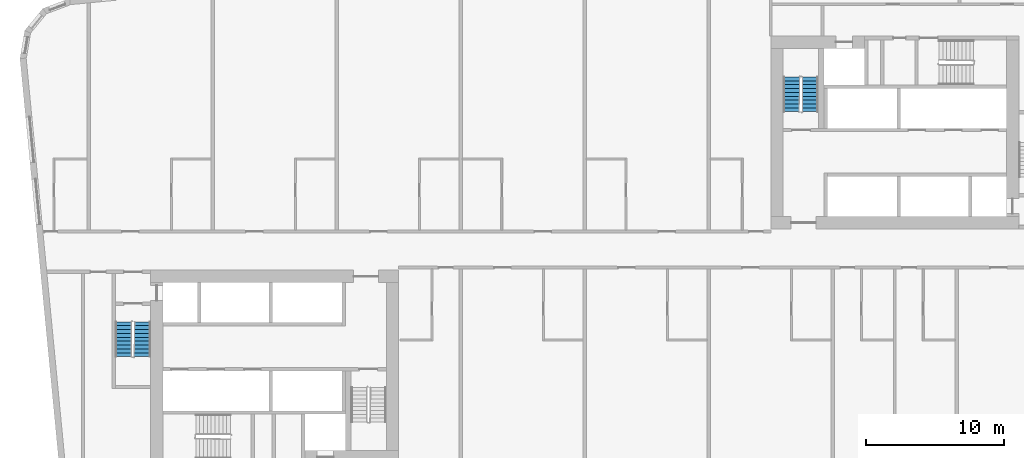
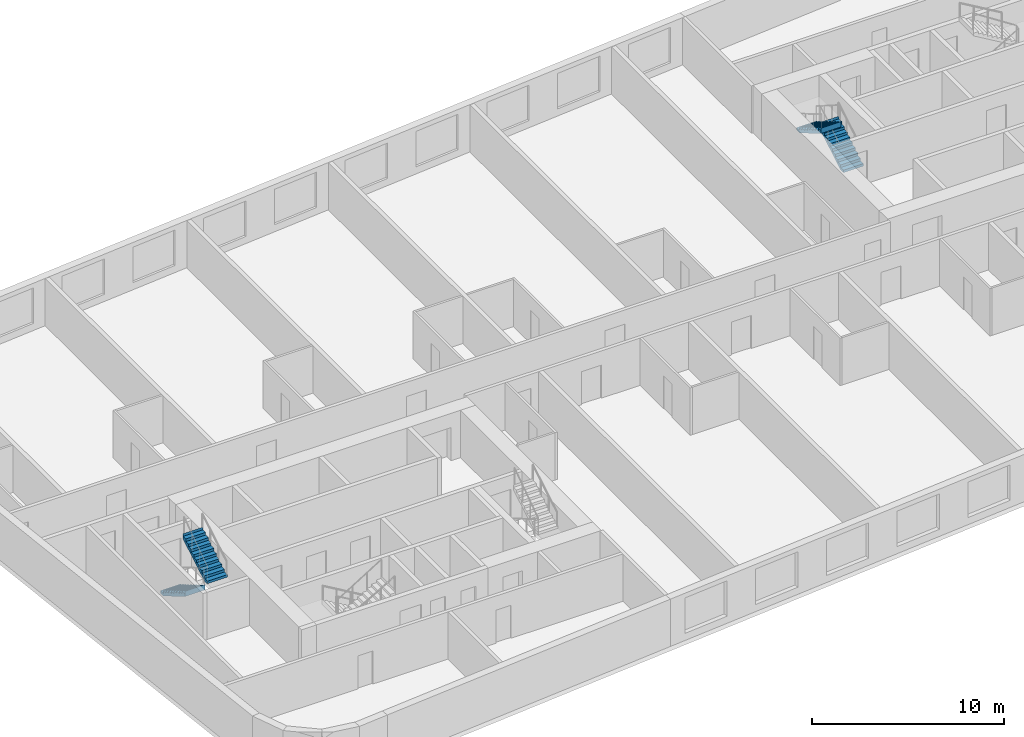
# One storey, part 10 of 12: 4 stair flights, 2 elements without a shape of their own.
"""IFC4 building model written with IfcOpenShell, lengths in metres."""

from ifc_helpers import new_model, si_unit, direction, frame, origin, place, context, subcontext, project, spatial, faceted_brep, material, type_object, element, aggregate, save


model = new_model("IFC4")

# Units and contexts
model_context = context("Model", 3, precision=1e-05, world=origin(), true_north=direction((0.0, 1.0)))
body_context = subcontext(model_context, "Body", "Model", "MODEL_VIEW")
ifc_project = project(units=[si_unit("LENGTHUNIT", "METRE"), si_unit("AREAUNIT", "SQUARE_METRE"), si_unit("VOLUMEUNIT", "CUBIC_METRE"), si_unit("PLANEANGLEUNIT", "RADIAN"), si_unit("MASSUNIT", "GRAM", prefix="KILO")], contexts=[model_context])

# Site, building, storey
site_placement = place(None, origin())
site = spatial("IfcSite", under=ifc_project, at=site_placement, CompositionType="ELEMENT")
building_placement = place(site_placement, origin())
building = spatial("IfcBuilding", under=site, at=building_placement, Name="Kajstack Hotel Tower", CompositionType="ELEMENT")
storey_placement = place(building_placement, frame((0.0, 0.0, 147.10009765625)))
storey = spatial("IfcBuildingStorey", under=building, at=storey_placement, Name="L34", CompositionType="ELEMENT", Elevation=147.10009765625)

# Stair, stair flights
ifc_material = material(Name="Concrete C40/50", Category="concrete")
stair_type = type_object("IfcStairType", Name="Exit stair 1200", PredefinedType="HALF_TURN_STAIR", material=ifc_material)
stair_1_placement = place(storey_placement, origin())
stair_1 = element("IfcStair", 1, at=stair_1_placement, inside=storey, type_object=stair_type, Name="L34 stair W1", PredefinedType="HALF_TURN_STAIR")
stair_flight_type = type_object("IfcStairFlightType", Name="Exit stair flight 1200", PredefinedType="STRAIGHT", material=ifc_material)
stair_flight_1_placement = place(storey_placement, frame((-33.449951171875, -5.25, 0.0), z_axis=(0.0, 0.0, 1.0), x_axis=(0.0, -1.0, 0.0)))
stair_flight_1 = element("IfcStairFlight", 2, at=stair_flight_1_placement, type_object=stair_flight_type, Name="W1 flight 1", NumberOfRisers=10, NumberOfTreads=9, PredefinedType="STRAIGHT", RiserHeight=0.165, TreadLength=0.28, context=body_context, shape_type="Brep", body=[
    faceted_brep([(0.295654296875, -0.60009765625, 0.0), (2.5205078125, -0.60009765625, 1.31103515625), (2.5205078125, -0.60009765625, 1.64990234375), (2.52001953125, -0.60009765625, 1.64990234375), (2.52001953125, -0.60009765625, 1.485107421875), (2.239990234375, -0.60009765625, 1.485107421875), (2.239990234375, -0.60009765625, 1.320068359375), (1.9599609375, -0.60009765625, 1.320068359375), (1.9599609375, -0.60009765625, 1.155029296875), (1.679931640625, -0.60009765625, 1.155029296875), (1.679931640625, -0.60009765625, 0.989990234375), (1.39990234375, -0.60009765625, 0.989990234375), (1.39990234375, -0.60009765625, 0.824951171875), (1.1201171875, -0.60009765625, 0.824951171875), (1.1201171875, -0.60009765625, 0.659912109375), (0.840087890625, -0.60009765625, 0.659912109375), (0.840087890625, -0.60009765625, 0.4951171875), (0.56005859375, -0.60009765625, 0.4951171875), (0.56005859375, -0.60009765625, 0.330078125), (0.280029296875, -0.60009765625, 0.330078125), (0.280029296875, -0.60009765625, 0.1650390625), (-0.00048828125, -0.60009765625, 0.1650390625), (-0.00048828125, -0.60009765625, 0.0), (-0.00048828125, 0.60009765625, 0.0), (-0.00048828125, 0.60009765625, 0.1650390625), (0.280029296875, 0.60009765625, 0.1650390625), (0.280029296875, 0.60009765625, 0.330078125), (0.56005859375, 0.60009765625, 0.330078125), (0.56005859375, 0.60009765625, 0.4951171875), (0.840087890625, 0.60009765625, 0.4951171875), (0.840087890625, 0.60009765625, 0.659912109375), (1.1201171875, 0.60009765625, 0.659912109375), (1.1201171875, 0.60009765625, 0.824951171875), (1.39990234375, 0.60009765625, 0.824951171875), (1.39990234375, 0.60009765625, 0.989990234375), (1.679931640625, 0.60009765625, 0.989990234375), (1.679931640625, 0.60009765625, 1.155029296875), (1.9599609375, 0.60009765625, 1.155029296875), (1.9599609375, 0.60009765625, 1.320068359375), (2.239990234375, 0.60009765625, 1.320068359375), (2.239990234375, 0.60009765625, 1.485107421875), (2.52001953125, 0.60009765625, 1.485107421875), (2.52001953125, 0.60009765625, 1.64990234375), (2.5205078125, 0.60009765625, 1.64990234375), (2.5205078125, 0.60009765625, 1.31103515625), (0.295654296875, 0.60009765625, 0.0), (-0.00048828125, -0.300048828125, 0.1650390625), (-0.00048828125, 0.0, 0.1650390625), (-0.00048828125, 0.300048828125, 0.1650390625), (-0.00048828125, 0.300048828125, 0.0), (-0.00048828125, 0.0, 0.0), (-0.00048828125, -0.300048828125, 0.0), (0.280029296875, -0.300048828125, 0.1650390625), (0.280029296875, 0.0, 0.1650390625), (0.280029296875, 0.300048828125, 0.1650390625), (0.280029296875, -0.300048828125, 0.330078125), (0.280029296875, 0.0, 0.330078125), (0.280029296875, 0.300048828125, 0.330078125), (0.56005859375, -0.300048828125, 0.330078125), (0.56005859375, 0.0, 0.330078125), (0.56005859375, 0.300048828125, 0.330078125), (0.56005859375, -0.300048828125, 0.4951171875), (0.56005859375, 0.0, 0.4951171875), (0.56005859375, 0.300048828125, 0.4951171875), (0.840087890625, -0.300048828125, 0.4951171875), (0.840087890625, 0.0, 0.4951171875), (0.840087890625, 0.300048828125, 0.4951171875), (0.840087890625, -0.300048828125, 0.659912109375), (0.840087890625, 0.0, 0.659912109375), (0.840087890625, 0.300048828125, 0.659912109375), (1.1201171875, -0.300048828125, 0.659912109375), (1.1201171875, 0.0, 0.659912109375), (1.1201171875, 0.300048828125, 0.659912109375), (1.1201171875, -0.300048828125, 0.824951171875), (1.1201171875, 0.0, 0.824951171875), (1.1201171875, 0.300048828125, 0.824951171875), (1.39990234375, -0.300048828125, 0.824951171875), (1.39990234375, 0.0, 0.824951171875), (1.39990234375, 0.300048828125, 0.824951171875), (1.39990234375, -0.300048828125, 0.989990234375), (1.39990234375, 0.0, 0.989990234375), (1.39990234375, 0.300048828125, 0.989990234375), (1.679931640625, -0.300048828125, 0.989990234375), (1.679931640625, 0.0, 0.989990234375), (1.679931640625, 0.300048828125, 0.989990234375), (1.679931640625, -0.300048828125, 1.155029296875), (1.679931640625, 0.0, 1.155029296875), (1.679931640625, 0.300048828125, 1.155029296875), (1.9599609375, -0.300048828125, 1.155029296875), (1.9599609375, 0.0, 1.155029296875), (1.9599609375, 0.300048828125, 1.155029296875), (1.9599609375, -0.300048828125, 1.320068359375), (1.9599609375, 0.0, 1.320068359375), (1.9599609375, 0.300048828125, 1.320068359375), (2.239990234375, -0.300048828125, 1.320068359375), (2.239990234375, 0.0, 1.320068359375), (2.239990234375, 0.300048828125, 1.320068359375), (2.239990234375, -0.300048828125, 1.485107421875), (2.239990234375, 0.0, 1.485107421875), (2.239990234375, 0.300048828125, 1.485107421875), (2.52001953125, -0.300048828125, 1.485107421875), (2.52001953125, 0.0, 1.485107421875), (2.52001953125, 0.300048828125, 1.485107421875), (2.52001953125, -0.300048828125, 1.64990234375), (2.52001953125, 0.0, 1.64990234375), (2.52001953125, 0.300048828125, 1.64990234375), (2.5205078125, -0.300048828125, 1.64990234375), (2.5205078125, 0.0, 1.64990234375), (2.5205078125, 0.300048828125, 1.64990234375), (2.5205078125, -0.300048828125, 1.31103515625), (2.5205078125, 0.0, 1.31103515625), (2.5205078125, 0.300048828125, 1.31103515625), (0.295654296875, -0.300048828125, 0.0), (0.295654296875, 0.0, 0.0), (0.295654296875, 0.300048828125, 0.0)], [[[0, 1, 2, 3, 4, 5, 6, 7, 8, 9, 10, 11, 12, 13, 14, 15, 16, 17, 18, 19, 20, 21, 22]], [[23, 24, 25, 26, 27, 28, 29, 30, 31, 32, 33, 34, 35, 36, 37, 38, 39, 40, 41, 42, 43, 44, 45]], [[21, 46, 47, 48, 24, 23, 49, 50, 51, 22]], [[20, 52, 53, 54, 25, 24, 48, 47, 46, 21]], [[19, 55, 56, 57, 26, 25, 54, 53, 52, 20]], [[18, 58, 59, 60, 27, 26, 57, 56, 55, 19]], [[17, 61, 62, 63, 28, 27, 60, 59, 58, 18]], [[16, 64, 65, 66, 29, 28, 63, 62, 61, 17]], [[15, 67, 68, 69, 30, 29, 66, 65, 64, 16]], [[14, 70, 71, 72, 31, 30, 69, 68, 67, 15]], [[13, 73, 74, 75, 32, 31, 72, 71, 70, 14]], [[12, 76, 77, 78, 33, 32, 75, 74, 73, 13]], [[11, 79, 80, 81, 34, 33, 78, 77, 76, 12]], [[10, 82, 83, 84, 35, 34, 81, 80, 79, 11]], [[9, 85, 86, 87, 36, 35, 84, 83, 82, 10]], [[8, 88, 89, 90, 37, 36, 87, 86, 85, 9]], [[7, 91, 92, 93, 38, 37, 90, 89, 88, 8]], [[6, 94, 95, 96, 39, 38, 93, 92, 91, 7]], [[5, 97, 98, 99, 40, 39, 96, 95, 94, 6]], [[4, 100, 101, 102, 41, 40, 99, 98, 97, 5]], [[3, 103, 104, 105, 42, 41, 102, 101, 100, 4]], [[2, 106, 107, 108, 43, 42, 105, 104, 103, 3]], [[1, 109, 110, 111, 44, 43, 108, 107, 106, 2]], [[0, 112, 113, 114, 45, 44, 111, 110, 109, 1]], [[22, 51, 50, 49, 23, 45, 114, 113, 112, 0]]]),
])
stair_flight_2_placement = place(storey_placement, frame((-32.10009765625, -7.77001953125, 1.64990234375), z_axis=(0.0, 0.0, 1.0), x_axis=(0.0, 1.0, 0.0)))
stair_flight_2 = element("IfcStairFlight", 3, at=stair_flight_2_placement, type_object=stair_flight_type, Name="W1 flight 2", NumberOfRisers=10, NumberOfTreads=9, PredefinedType="STRAIGHT", RiserHeight=0.165, TreadLength=0.28, context=body_context, shape_type="Brep", body=[
    faceted_brep([(0.295654296875, -0.60009765625, 0.0), (2.5205078125, -0.60009765625, 1.31103515625), (2.5205078125, -0.60009765625, 1.64990234375), (2.52001953125, -0.60009765625, 1.64990234375), (2.52001953125, -0.60009765625, 1.485107421875), (2.239990234375, -0.60009765625, 1.485107421875), (2.239990234375, -0.60009765625, 1.320068359375), (1.9599609375, -0.60009765625, 1.320068359375), (1.9599609375, -0.60009765625, 1.155029296875), (1.679931640625, -0.60009765625, 1.155029296875), (1.679931640625, -0.60009765625, 0.989990234375), (1.39990234375, -0.60009765625, 0.989990234375), (1.39990234375, -0.60009765625, 0.824951171875), (1.1201171875, -0.60009765625, 0.824951171875), (1.1201171875, -0.60009765625, 0.659912109375), (0.840087890625, -0.60009765625, 0.659912109375), (0.840087890625, -0.60009765625, 0.4951171875), (0.56005859375, -0.60009765625, 0.4951171875), (0.56005859375, -0.60009765625, 0.330078125), (0.280029296875, -0.60009765625, 0.330078125), (0.280029296875, -0.60009765625, 0.1650390625), (-0.00048828125, -0.60009765625, 0.1650390625), (-0.00048828125, -0.60009765625, 0.0), (-0.00048828125, 0.60009765625, 0.0), (-0.00048828125, 0.60009765625, 0.1650390625), (0.280029296875, 0.60009765625, 0.1650390625), (0.280029296875, 0.60009765625, 0.330078125), (0.56005859375, 0.60009765625, 0.330078125), (0.56005859375, 0.60009765625, 0.4951171875), (0.840087890625, 0.60009765625, 0.4951171875), (0.840087890625, 0.60009765625, 0.659912109375), (1.1201171875, 0.60009765625, 0.659912109375), (1.1201171875, 0.60009765625, 0.824951171875), (1.39990234375, 0.60009765625, 0.824951171875), (1.39990234375, 0.60009765625, 0.989990234375), (1.679931640625, 0.60009765625, 0.989990234375), (1.679931640625, 0.60009765625, 1.155029296875), (1.9599609375, 0.60009765625, 1.155029296875), (1.9599609375, 0.60009765625, 1.320068359375), (2.239990234375, 0.60009765625, 1.320068359375), (2.239990234375, 0.60009765625, 1.485107421875), (2.52001953125, 0.60009765625, 1.485107421875), (2.52001953125, 0.60009765625, 1.64990234375), (2.5205078125, 0.60009765625, 1.64990234375), (2.5205078125, 0.60009765625, 1.31103515625), (0.295654296875, 0.60009765625, 0.0), (-0.00048828125, -0.300048828125, 0.1650390625), (-0.00048828125, 0.0, 0.1650390625), (-0.00048828125, 0.300048828125, 0.1650390625), (-0.00048828125, 0.300048828125, 0.0), (-0.00048828125, 0.0, 0.0), (-0.00048828125, -0.300048828125, 0.0), (0.280029296875, -0.300048828125, 0.1650390625), (0.280029296875, 0.0, 0.1650390625), (0.280029296875, 0.300048828125, 0.1650390625), (0.280029296875, -0.300048828125, 0.330078125), (0.280029296875, 0.0, 0.330078125), (0.280029296875, 0.300048828125, 0.330078125), (0.56005859375, -0.300048828125, 0.330078125), (0.56005859375, 0.0, 0.330078125), (0.56005859375, 0.300048828125, 0.330078125), (0.56005859375, -0.300048828125, 0.4951171875), (0.56005859375, 0.0, 0.4951171875), (0.56005859375, 0.300048828125, 0.4951171875), (0.840087890625, -0.300048828125, 0.4951171875), (0.840087890625, 0.0, 0.4951171875), (0.840087890625, 0.300048828125, 0.4951171875), (0.840087890625, -0.300048828125, 0.659912109375), (0.840087890625, 0.0, 0.659912109375), (0.840087890625, 0.300048828125, 0.659912109375), (1.1201171875, -0.300048828125, 0.659912109375), (1.1201171875, 0.0, 0.659912109375), (1.1201171875, 0.300048828125, 0.659912109375), (1.1201171875, -0.300048828125, 0.824951171875), (1.1201171875, 0.0, 0.824951171875), (1.1201171875, 0.300048828125, 0.824951171875), (1.39990234375, -0.300048828125, 0.824951171875), (1.39990234375, 0.0, 0.824951171875), (1.39990234375, 0.300048828125, 0.824951171875), (1.39990234375, -0.300048828125, 0.989990234375), (1.39990234375, 0.0, 0.989990234375), (1.39990234375, 0.300048828125, 0.989990234375), (1.679931640625, -0.300048828125, 0.989990234375), (1.679931640625, 0.0, 0.989990234375), (1.679931640625, 0.300048828125, 0.989990234375), (1.679931640625, -0.300048828125, 1.155029296875), (1.679931640625, 0.0, 1.155029296875), (1.679931640625, 0.300048828125, 1.155029296875), (1.9599609375, -0.300048828125, 1.155029296875), (1.9599609375, 0.0, 1.155029296875), (1.9599609375, 0.300048828125, 1.155029296875), (1.9599609375, -0.300048828125, 1.320068359375), (1.9599609375, 0.0, 1.320068359375), (1.9599609375, 0.300048828125, 1.320068359375), (2.239990234375, -0.300048828125, 1.320068359375), (2.239990234375, 0.0, 1.320068359375), (2.239990234375, 0.300048828125, 1.320068359375), (2.239990234375, -0.300048828125, 1.485107421875), (2.239990234375, 0.0, 1.485107421875), (2.239990234375, 0.300048828125, 1.485107421875), (2.52001953125, -0.300048828125, 1.485107421875), (2.52001953125, 0.0, 1.485107421875), (2.52001953125, 0.300048828125, 1.485107421875), (2.52001953125, -0.300048828125, 1.64990234375), (2.52001953125, 0.0, 1.64990234375), (2.52001953125, 0.300048828125, 1.64990234375), (2.5205078125, -0.300048828125, 1.64990234375), (2.5205078125, 0.0, 1.64990234375), (2.5205078125, 0.300048828125, 1.64990234375), (2.5205078125, -0.300048828125, 1.31103515625), (2.5205078125, 0.0, 1.31103515625), (2.5205078125, 0.300048828125, 1.31103515625), (0.295654296875, -0.300048828125, 0.0), (0.295654296875, 0.0, 0.0), (0.295654296875, 0.300048828125, 0.0)], [[[0, 1, 2, 3, 4, 5, 6, 7, 8, 9, 10, 11, 12, 13, 14, 15, 16, 17, 18, 19, 20, 21, 22]], [[23, 24, 25, 26, 27, 28, 29, 30, 31, 32, 33, 34, 35, 36, 37, 38, 39, 40, 41, 42, 43, 44, 45]], [[21, 46, 47, 48, 24, 23, 49, 50, 51, 22]], [[20, 52, 53, 54, 25, 24, 48, 47, 46, 21]], [[19, 55, 56, 57, 26, 25, 54, 53, 52, 20]], [[18, 58, 59, 60, 27, 26, 57, 56, 55, 19]], [[17, 61, 62, 63, 28, 27, 60, 59, 58, 18]], [[16, 64, 65, 66, 29, 28, 63, 62, 61, 17]], [[15, 67, 68, 69, 30, 29, 66, 65, 64, 16]], [[14, 70, 71, 72, 31, 30, 69, 68, 67, 15]], [[13, 73, 74, 75, 32, 31, 72, 71, 70, 14]], [[12, 76, 77, 78, 33, 32, 75, 74, 73, 13]], [[11, 79, 80, 81, 34, 33, 78, 77, 76, 12]], [[10, 82, 83, 84, 35, 34, 81, 80, 79, 11]], [[9, 85, 86, 87, 36, 35, 84, 83, 82, 10]], [[8, 88, 89, 90, 37, 36, 87, 86, 85, 9]], [[7, 91, 92, 93, 38, 37, 90, 89, 88, 8]], [[6, 94, 95, 96, 39, 38, 93, 92, 91, 7]], [[5, 97, 98, 99, 40, 39, 96, 95, 94, 6]], [[4, 100, 101, 102, 41, 40, 99, 98, 97, 5]], [[3, 103, 104, 105, 42, 41, 102, 101, 100, 4]], [[2, 106, 107, 108, 43, 42, 105, 104, 103, 3]], [[1, 109, 110, 111, 44, 43, 108, 107, 106, 2]], [[0, 112, 113, 114, 45, 44, 111, 110, 109, 1]], [[22, 51, 50, 49, 23, 45, 114, 113, 112, 0]]]),
])
aggregate(stair_1, [stair_flight_1, stair_flight_2])

stair_2_placement = place(storey_placement, origin())
stair_2 = element("IfcStair", 4, at=stair_2_placement, inside=storey, type_object=stair_type, Name="L34 stair E2", PredefinedType="HALF_TURN_STAIR")
stair_flight_3_placement = place(storey_placement, frame((16.35009765625, 10.0, 0.0), z_axis=(0.0, 0.0, 1.0), x_axis=(0.0, 1.0, 0.0)))
stair_flight_3 = element("IfcStairFlight", 5, at=stair_flight_3_placement, type_object=stair_flight_type, Name="E2 flight 1", NumberOfRisers=10, NumberOfTreads=9, PredefinedType="STRAIGHT", RiserHeight=0.165, TreadLength=0.28, context=body_context, shape_type="Brep", body=[
    faceted_brep([(0.295654296875, -0.60009765625, 0.0), (2.5205078125, -0.60009765625, 1.31103515625), (2.5205078125, -0.60009765625, 1.64990234375), (2.52001953125, -0.60009765625, 1.64990234375), (2.52001953125, -0.60009765625, 1.485107421875), (2.239990234375, -0.60009765625, 1.485107421875), (2.239990234375, -0.60009765625, 1.320068359375), (1.9599609375, -0.60009765625, 1.320068359375), (1.9599609375, -0.60009765625, 1.155029296875), (1.679931640625, -0.60009765625, 1.155029296875), (1.679931640625, -0.60009765625, 0.989990234375), (1.39990234375, -0.60009765625, 0.989990234375), (1.39990234375, -0.60009765625, 0.824951171875), (1.1201171875, -0.60009765625, 0.824951171875), (1.1201171875, -0.60009765625, 0.659912109375), (0.840087890625, -0.60009765625, 0.659912109375), (0.840087890625, -0.60009765625, 0.4951171875), (0.56005859375, -0.60009765625, 0.4951171875), (0.56005859375, -0.60009765625, 0.330078125), (0.280029296875, -0.60009765625, 0.330078125), (0.280029296875, -0.60009765625, 0.1650390625), (-0.00048828125, -0.60009765625, 0.1650390625), (-0.00048828125, -0.60009765625, 0.0), (-0.00048828125, 0.60009765625, 0.0), (-0.00048828125, 0.60009765625, 0.1650390625), (0.280029296875, 0.60009765625, 0.1650390625), (0.280029296875, 0.60009765625, 0.330078125), (0.56005859375, 0.60009765625, 0.330078125), (0.56005859375, 0.60009765625, 0.4951171875), (0.840087890625, 0.60009765625, 0.4951171875), (0.840087890625, 0.60009765625, 0.659912109375), (1.1201171875, 0.60009765625, 0.659912109375), (1.1201171875, 0.60009765625, 0.824951171875), (1.39990234375, 0.60009765625, 0.824951171875), (1.39990234375, 0.60009765625, 0.989990234375), (1.679931640625, 0.60009765625, 0.989990234375), (1.679931640625, 0.60009765625, 1.155029296875), (1.9599609375, 0.60009765625, 1.155029296875), (1.9599609375, 0.60009765625, 1.320068359375), (2.239990234375, 0.60009765625, 1.320068359375), (2.239990234375, 0.60009765625, 1.485107421875), (2.52001953125, 0.60009765625, 1.485107421875), (2.52001953125, 0.60009765625, 1.64990234375), (2.5205078125, 0.60009765625, 1.64990234375), (2.5205078125, 0.60009765625, 1.31103515625), (0.295654296875, 0.60009765625, 0.0), (-0.00048828125, -0.300048828125, 0.1650390625), (-0.00048828125, 0.0, 0.1650390625), (-0.00048828125, 0.300048828125, 0.1650390625), (-0.00048828125, 0.300048828125, 0.0), (-0.00048828125, 0.0, 0.0), (-0.00048828125, -0.300048828125, 0.0), (0.280029296875, -0.300048828125, 0.1650390625), (0.280029296875, 0.0, 0.1650390625), (0.280029296875, 0.300048828125, 0.1650390625), (0.280029296875, -0.300048828125, 0.330078125), (0.280029296875, 0.0, 0.330078125), (0.280029296875, 0.300048828125, 0.330078125), (0.56005859375, -0.300048828125, 0.330078125), (0.56005859375, 0.0, 0.330078125), (0.56005859375, 0.300048828125, 0.330078125), (0.56005859375, -0.300048828125, 0.4951171875), (0.56005859375, 0.0, 0.4951171875), (0.56005859375, 0.300048828125, 0.4951171875), (0.840087890625, -0.300048828125, 0.4951171875), (0.840087890625, 0.0, 0.4951171875), (0.840087890625, 0.300048828125, 0.4951171875), (0.840087890625, -0.300048828125, 0.659912109375), (0.840087890625, 0.0, 0.659912109375), (0.840087890625, 0.300048828125, 0.659912109375), (1.1201171875, -0.300048828125, 0.659912109375), (1.1201171875, 0.0, 0.659912109375), (1.1201171875, 0.300048828125, 0.659912109375), (1.1201171875, -0.300048828125, 0.824951171875), (1.1201171875, 0.0, 0.824951171875), (1.1201171875, 0.300048828125, 0.824951171875), (1.39990234375, -0.300048828125, 0.824951171875), (1.39990234375, 0.0, 0.824951171875), (1.39990234375, 0.300048828125, 0.824951171875), (1.39990234375, -0.300048828125, 0.989990234375), (1.39990234375, 0.0, 0.989990234375), (1.39990234375, 0.300048828125, 0.989990234375), (1.679931640625, -0.300048828125, 0.989990234375), (1.679931640625, 0.0, 0.989990234375), (1.679931640625, 0.300048828125, 0.989990234375), (1.679931640625, -0.300048828125, 1.155029296875), (1.679931640625, 0.0, 1.155029296875), (1.679931640625, 0.300048828125, 1.155029296875), (1.9599609375, -0.300048828125, 1.155029296875), (1.9599609375, 0.0, 1.155029296875), (1.9599609375, 0.300048828125, 1.155029296875), (1.9599609375, -0.300048828125, 1.320068359375), (1.9599609375, 0.0, 1.320068359375), (1.9599609375, 0.300048828125, 1.320068359375), (2.239990234375, -0.300048828125, 1.320068359375), (2.239990234375, 0.0, 1.320068359375), (2.239990234375, 0.300048828125, 1.320068359375), (2.239990234375, -0.300048828125, 1.485107421875), (2.239990234375, 0.0, 1.485107421875), (2.239990234375, 0.300048828125, 1.485107421875), (2.52001953125, -0.300048828125, 1.485107421875), (2.52001953125, 0.0, 1.485107421875), (2.52001953125, 0.300048828125, 1.485107421875), (2.52001953125, -0.300048828125, 1.64990234375), (2.52001953125, 0.0, 1.64990234375), (2.52001953125, 0.300048828125, 1.64990234375), (2.5205078125, -0.300048828125, 1.64990234375), (2.5205078125, 0.0, 1.64990234375), (2.5205078125, 0.300048828125, 1.64990234375), (2.5205078125, -0.300048828125, 1.31103515625), (2.5205078125, 0.0, 1.31103515625), (2.5205078125, 0.300048828125, 1.31103515625), (0.295654296875, -0.300048828125, 0.0), (0.295654296875, 0.0, 0.0), (0.295654296875, 0.300048828125, 0.0)], [[[0, 1, 2, 3, 4, 5, 6, 7, 8, 9, 10, 11, 12, 13, 14, 15, 16, 17, 18, 19, 20, 21, 22]], [[23, 24, 25, 26, 27, 28, 29, 30, 31, 32, 33, 34, 35, 36, 37, 38, 39, 40, 41, 42, 43, 44, 45]], [[21, 46, 47, 48, 24, 23, 49, 50, 51, 22]], [[20, 52, 53, 54, 25, 24, 48, 47, 46, 21]], [[19, 55, 56, 57, 26, 25, 54, 53, 52, 20]], [[18, 58, 59, 60, 27, 26, 57, 56, 55, 19]], [[17, 61, 62, 63, 28, 27, 60, 59, 58, 18]], [[16, 64, 65, 66, 29, 28, 63, 62, 61, 17]], [[15, 67, 68, 69, 30, 29, 66, 65, 64, 16]], [[14, 70, 71, 72, 31, 30, 69, 68, 67, 15]], [[13, 73, 74, 75, 32, 31, 72, 71, 70, 14]], [[12, 76, 77, 78, 33, 32, 75, 74, 73, 13]], [[11, 79, 80, 81, 34, 33, 78, 77, 76, 12]], [[10, 82, 83, 84, 35, 34, 81, 80, 79, 11]], [[9, 85, 86, 87, 36, 35, 84, 83, 82, 10]], [[8, 88, 89, 90, 37, 36, 87, 86, 85, 9]], [[7, 91, 92, 93, 38, 37, 90, 89, 88, 8]], [[6, 94, 95, 96, 39, 38, 93, 92, 91, 7]], [[5, 97, 98, 99, 40, 39, 96, 95, 94, 6]], [[4, 100, 101, 102, 41, 40, 99, 98, 97, 5]], [[3, 103, 104, 105, 42, 41, 102, 101, 100, 4]], [[2, 106, 107, 108, 43, 42, 105, 104, 103, 3]], [[1, 109, 110, 111, 44, 43, 108, 107, 106, 2]], [[0, 112, 113, 114, 45, 44, 111, 110, 109, 1]], [[22, 51, 50, 49, 23, 45, 114, 113, 112, 0]]]),
])
stair_flight_4_placement = place(storey_placement, frame((15.0, 12.52001953125, 1.64990234375), z_axis=(0.0, 0.0, 1.0), x_axis=(0.0, -1.0, 0.0)))
stair_flight_4 = element("IfcStairFlight", 6, at=stair_flight_4_placement, type_object=stair_flight_type, Name="E2 flight 2", NumberOfRisers=10, NumberOfTreads=9, PredefinedType="STRAIGHT", RiserHeight=0.165, TreadLength=0.28, context=body_context, shape_type="Brep", body=[
    faceted_brep([(0.295654296875, -0.60009765625, 0.0), (2.5205078125, -0.60009765625, 1.31103515625), (2.5205078125, -0.60009765625, 1.64990234375), (2.52001953125, -0.60009765625, 1.64990234375), (2.52001953125, -0.60009765625, 1.485107421875), (2.239990234375, -0.60009765625, 1.485107421875), (2.239990234375, -0.60009765625, 1.320068359375), (1.9599609375, -0.60009765625, 1.320068359375), (1.9599609375, -0.60009765625, 1.155029296875), (1.679931640625, -0.60009765625, 1.155029296875), (1.679931640625, -0.60009765625, 0.989990234375), (1.39990234375, -0.60009765625, 0.989990234375), (1.39990234375, -0.60009765625, 0.824951171875), (1.1201171875, -0.60009765625, 0.824951171875), (1.1201171875, -0.60009765625, 0.659912109375), (0.840087890625, -0.60009765625, 0.659912109375), (0.840087890625, -0.60009765625, 0.4951171875), (0.56005859375, -0.60009765625, 0.4951171875), (0.56005859375, -0.60009765625, 0.330078125), (0.280029296875, -0.60009765625, 0.330078125), (0.280029296875, -0.60009765625, 0.1650390625), (-0.00048828125, -0.60009765625, 0.1650390625), (-0.00048828125, -0.60009765625, 0.0), (-0.00048828125, 0.60009765625, 0.0), (-0.00048828125, 0.60009765625, 0.1650390625), (0.280029296875, 0.60009765625, 0.1650390625), (0.280029296875, 0.60009765625, 0.330078125), (0.56005859375, 0.60009765625, 0.330078125), (0.56005859375, 0.60009765625, 0.4951171875), (0.840087890625, 0.60009765625, 0.4951171875), (0.840087890625, 0.60009765625, 0.659912109375), (1.1201171875, 0.60009765625, 0.659912109375), (1.1201171875, 0.60009765625, 0.824951171875), (1.39990234375, 0.60009765625, 0.824951171875), (1.39990234375, 0.60009765625, 0.989990234375), (1.679931640625, 0.60009765625, 0.989990234375), (1.679931640625, 0.60009765625, 1.155029296875), (1.9599609375, 0.60009765625, 1.155029296875), (1.9599609375, 0.60009765625, 1.320068359375), (2.239990234375, 0.60009765625, 1.320068359375), (2.239990234375, 0.60009765625, 1.485107421875), (2.52001953125, 0.60009765625, 1.485107421875), (2.52001953125, 0.60009765625, 1.64990234375), (2.5205078125, 0.60009765625, 1.64990234375), (2.5205078125, 0.60009765625, 1.31103515625), (0.295654296875, 0.60009765625, 0.0), (-0.00048828125, -0.300048828125, 0.1650390625), (-0.00048828125, 0.0, 0.1650390625), (-0.00048828125, 0.300048828125, 0.1650390625), (-0.00048828125, 0.300048828125, 0.0), (-0.00048828125, 0.0, 0.0), (-0.00048828125, -0.300048828125, 0.0), (0.280029296875, -0.300048828125, 0.1650390625), (0.280029296875, 0.0, 0.1650390625), (0.280029296875, 0.300048828125, 0.1650390625), (0.280029296875, -0.300048828125, 0.330078125), (0.280029296875, 0.0, 0.330078125), (0.280029296875, 0.300048828125, 0.330078125), (0.56005859375, -0.300048828125, 0.330078125), (0.56005859375, 0.0, 0.330078125), (0.56005859375, 0.300048828125, 0.330078125), (0.56005859375, -0.300048828125, 0.4951171875), (0.56005859375, 0.0, 0.4951171875), (0.56005859375, 0.300048828125, 0.4951171875), (0.840087890625, -0.300048828125, 0.4951171875), (0.840087890625, 0.0, 0.4951171875), (0.840087890625, 0.300048828125, 0.4951171875), (0.840087890625, -0.300048828125, 0.659912109375), (0.840087890625, 0.0, 0.659912109375), (0.840087890625, 0.300048828125, 0.659912109375), (1.1201171875, -0.300048828125, 0.659912109375), (1.1201171875, 0.0, 0.659912109375), (1.1201171875, 0.300048828125, 0.659912109375), (1.1201171875, -0.300048828125, 0.824951171875), (1.1201171875, 0.0, 0.824951171875), (1.1201171875, 0.300048828125, 0.824951171875), (1.39990234375, -0.300048828125, 0.824951171875), (1.39990234375, 0.0, 0.824951171875), (1.39990234375, 0.300048828125, 0.824951171875), (1.39990234375, -0.300048828125, 0.989990234375), (1.39990234375, 0.0, 0.989990234375), (1.39990234375, 0.300048828125, 0.989990234375), (1.679931640625, -0.300048828125, 0.989990234375), (1.679931640625, 0.0, 0.989990234375), (1.679931640625, 0.300048828125, 0.989990234375), (1.679931640625, -0.300048828125, 1.155029296875), (1.679931640625, 0.0, 1.155029296875), (1.679931640625, 0.300048828125, 1.155029296875), (1.9599609375, -0.300048828125, 1.155029296875), (1.9599609375, 0.0, 1.155029296875), (1.9599609375, 0.300048828125, 1.155029296875), (1.9599609375, -0.300048828125, 1.320068359375), (1.9599609375, 0.0, 1.320068359375), (1.9599609375, 0.300048828125, 1.320068359375), (2.239990234375, -0.300048828125, 1.320068359375), (2.239990234375, 0.0, 1.320068359375), (2.239990234375, 0.300048828125, 1.320068359375), (2.239990234375, -0.300048828125, 1.485107421875), (2.239990234375, 0.0, 1.485107421875), (2.239990234375, 0.300048828125, 1.485107421875), (2.52001953125, -0.300048828125, 1.485107421875), (2.52001953125, 0.0, 1.485107421875), (2.52001953125, 0.300048828125, 1.485107421875), (2.52001953125, -0.300048828125, 1.64990234375), (2.52001953125, 0.0, 1.64990234375), (2.52001953125, 0.300048828125, 1.64990234375), (2.5205078125, -0.300048828125, 1.64990234375), (2.5205078125, 0.0, 1.64990234375), (2.5205078125, 0.300048828125, 1.64990234375), (2.5205078125, -0.300048828125, 1.31103515625), (2.5205078125, 0.0, 1.31103515625), (2.5205078125, 0.300048828125, 1.31103515625), (0.295654296875, -0.300048828125, 0.0), (0.295654296875, 0.0, 0.0), (0.295654296875, 0.300048828125, 0.0)], [[[0, 1, 2, 3, 4, 5, 6, 7, 8, 9, 10, 11, 12, 13, 14, 15, 16, 17, 18, 19, 20, 21, 22]], [[23, 24, 25, 26, 27, 28, 29, 30, 31, 32, 33, 34, 35, 36, 37, 38, 39, 40, 41, 42, 43, 44, 45]], [[21, 46, 47, 48, 24, 23, 49, 50, 51, 22]], [[20, 52, 53, 54, 25, 24, 48, 47, 46, 21]], [[19, 55, 56, 57, 26, 25, 54, 53, 52, 20]], [[18, 58, 59, 60, 27, 26, 57, 56, 55, 19]], [[17, 61, 62, 63, 28, 27, 60, 59, 58, 18]], [[16, 64, 65, 66, 29, 28, 63, 62, 61, 17]], [[15, 67, 68, 69, 30, 29, 66, 65, 64, 16]], [[14, 70, 71, 72, 31, 30, 69, 68, 67, 15]], [[13, 73, 74, 75, 32, 31, 72, 71, 70, 14]], [[12, 76, 77, 78, 33, 32, 75, 74, 73, 13]], [[11, 79, 80, 81, 34, 33, 78, 77, 76, 12]], [[10, 82, 83, 84, 35, 34, 81, 80, 79, 11]], [[9, 85, 86, 87, 36, 35, 84, 83, 82, 10]], [[8, 88, 89, 90, 37, 36, 87, 86, 85, 9]], [[7, 91, 92, 93, 38, 37, 90, 89, 88, 8]], [[6, 94, 95, 96, 39, 38, 93, 92, 91, 7]], [[5, 97, 98, 99, 40, 39, 96, 95, 94, 6]], [[4, 100, 101, 102, 41, 40, 99, 98, 97, 5]], [[3, 103, 104, 105, 42, 41, 102, 101, 100, 4]], [[2, 106, 107, 108, 43, 42, 105, 104, 103, 3]], [[1, 109, 110, 111, 44, 43, 108, 107, 106, 2]], [[0, 112, 113, 114, 45, 44, 111, 110, 109, 1]], [[22, 51, 50, 49, 23, 45, 114, 113, 112, 0]]]),
])
aggregate(stair_2, [stair_flight_3, stair_flight_4])

save(model, "model.ifc")
